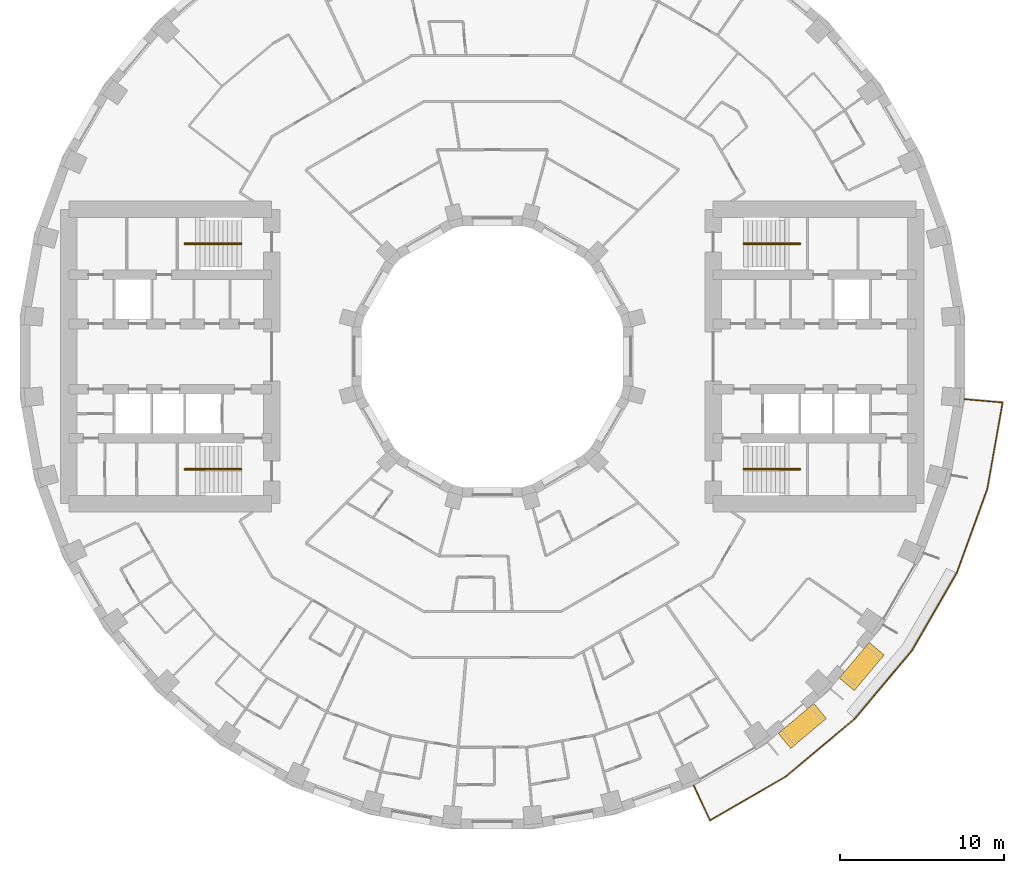
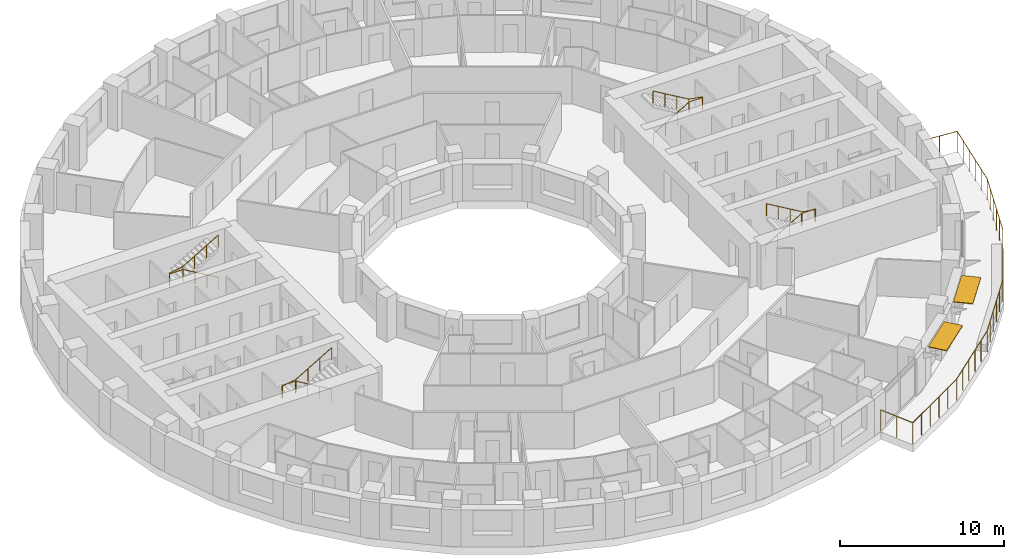
# One storey, part 15 of 15: 5 railings, 2 shading devices.
"""IFC4 building model written with IfcOpenShell, lengths in metres."""

from ifc_helpers import new_model, si_unit, direction, frame, origin, origin_2d, place, context, subcontext, project, spatial, rectangle, circle, extrude, material, layer, layer_set, type_object, element, save


model = new_model("IFC4")

# Units and contexts
model_context = context("Model", 3, precision=1e-05, world=origin(), true_north=direction((0.0, 1.0)))
body_context = subcontext(model_context, "Body", "Model", "MODEL_VIEW")
ifc_project = project(units=[si_unit("LENGTHUNIT", "METRE"), si_unit("AREAUNIT", "SQUARE_METRE"), si_unit("VOLUMEUNIT", "CUBIC_METRE"), si_unit("PLANEANGLEUNIT", "RADIAN"), si_unit("MASSUNIT", "GRAM", prefix="KILO")], contexts=[model_context])

# Site, building, storey
site_placement = place(None, origin())
site = spatial("IfcSite", under=ifc_project, at=site_placement, CompositionType="ELEMENT")
building_placement = place(site_placement, origin())
building = spatial("IfcBuilding", under=site, at=building_placement, Name="Saqina Gate Tower", CompositionType="ELEMENT")
storey_placement = place(building_placement, frame((0.0, 0.0, 36.199951171875)))
storey = spatial("IfcBuildingStorey", under=building, at=storey_placement, Name="L09", CompositionType="ELEMENT", Elevation=36.199951171875)

# Shading devices
ifc_material_1 = material(Name="Aluminium and fabric awning", Category="aluminium")
ifc_layer = layer(ifc_material_1, 0.050048828125)
ifc_layer_set = layer_set([ifc_layer], Name="AW-TERRACE")
shading_device_type = type_object("IfcShadingDeviceType", Name="AW-TERRACE", PredefinedType="AWNING", material=ifc_layer_set)
for number, where, z_axis, x_axis, name in (
    (1, (18.95556640625, -22.59033203125, 2.52490234375), (0.0, 0.0, 1.0), (0.766044443119, 0.642787609687, 0.0), "Terrace awning L09 facet 31"),
    (2, (22.59033203125, -18.95556640625, 2.52490234375), (0.0, 0.0, 1.0), (0.642787609687, 0.766044443119, 0.0), "Terrace awning L09 facet 32"),
):
    element("IfcShadingDevice", number, at=place(storey_placement, frame(where, z_axis=z_axis, x_axis=x_axis)), inside=storey, type_object=shading_device_type, Name=name, PredefinedType="AWNING", context=body_context, shape_type="SweptSolid", body=[
        extrude(rectangle(XDim=2.845703125, YDim=1.199951171875, at=origin_2d()), origin(), (0.0, 0.0, 1.0), 0.050048828125),
    ])

# Railings
ifc_material_2 = material(Name="Stainless steel", Category="steel")
railing_type_1 = type_object("IfcRailingType", Name="RL-TERRACE", PredefinedType="GUARDRAIL", material=ifc_material_2)
railing_1_placement = place(storey_placement, frame((12.302978515625, -26.194580078125, 0.0)))
element("IfcRailing", 3, at=railing_1_placement, inside=storey, type_object=railing_type_1, Name="Terrace guard L09", PredefinedType="GUARDRAIL", context=body_context, shape_type="SweptSolid", body=[
    extrude(circle(Radius=0.02392578125, at=origin_2d()), frame((0.0, 0.0, 1.576171875), z_axis=(0.422644901044, -0.906295364449, 0.0), x_axis=(0.906295364449, 0.422644901044, 0.0)), (0.0, 0.0, 1.0), 2.38916015625),
    extrude(circle(Radius=0.02392578125, at=origin_2d()), frame((1.009765625, -2.165283203125, 1.576171875), z_axis=(0.8653641556, 0.50114357045, 0.0), x_axis=(-0.50114357045, 0.8653641556, 0.0)), (0.0, 0.0, 1.0), 5.38134765625),
    extrude(circle(Radius=0.02392578125, at=origin_2d()), frame((5.66650390625, 0.531494140625, 1.576171875), z_axis=(0.766043830705, 0.642788339532, 0.0), x_axis=(-0.642788339532, 0.766043830705, 0.0)), (0.0, 0.0, 1.0), 5.4609375),
    extrude(circle(Radius=0.02392578125, at=origin_2d()), frame((9.849853515625, 4.041748046875, 1.576171875), z_axis=(0.642788339532, 0.766043830705, 0.0), x_axis=(-0.766043830705, 0.642788339532, 0.0)), (0.0, 0.0, 1.0), 5.4609375),
    extrude(circle(Radius=0.02392578125, at=origin_2d()), frame((13.360107421875, 8.22509765625, 1.576171875), z_axis=(0.499985602051, 0.866033716285, 0.0), x_axis=(-0.866033716285, 0.499985602051, 0.0)), (0.0, 0.0, 1.0), 5.461181640625),
    extrude(circle(Radius=0.02392578125, at=origin_2d()), frame((16.090576171875, 12.95458984375, 1.576171875), z_axis=(0.342048157644, 0.939682423935, 0.0), x_axis=(-0.939682423935, 0.342048157644, 0.0)), (0.0, 0.0, 1.0), 5.4609375),
    extrude(circle(Radius=0.02392578125, at=origin_2d()), frame((17.95849609375, 18.086181640625, 1.576171875), z_axis=(0.174903346333, 0.98458560798, 0.0), x_axis=(-0.98458560798, 0.174903346333, 0.0)), (0.0, 0.0, 1.0), 5.381103515625),
    extrude(circle(Radius=0.02392578125, at=origin_2d()), frame((18.899658203125, 23.38427734375, 1.576171875), z_axis=(-0.996192497087, 0.087180896688, 0.0), x_axis=(-0.087180896688, -0.996192497087, 0.0)), (0.0, 0.0, 1.0), 2.388671875),
    extrude(circle(Radius=0.02099609375, at=origin_2d()), origin(), (0.0, 0.0, 1.0), 1.552001953125),
    extrude(circle(Radius=0.02099609375, at=origin_2d()), frame((0.5048828125, -1.08251953125, 0.0)), (0.0, 0.0, 1.0), 1.552001953125),
    extrude(circle(Radius=0.02099609375, at=origin_2d()), frame((1.009765625, -2.165283203125, 0.0)), (0.0, 0.0, 1.0), 1.552001953125),
    extrude(circle(Radius=0.02099609375, at=origin_2d()), frame((1.941162109375, -1.6259765625, 0.0)), (0.0, 0.0, 1.0), 1.552001953125),
    extrude(circle(Radius=0.02099609375, at=origin_2d()), frame((2.87255859375, -1.086669921875, 0.0)), (0.0, 0.0, 1.0), 1.552001953125),
    extrude(circle(Radius=0.02099609375, at=origin_2d()), frame((3.8037109375, -0.547119140625, 0.0)), (0.0, 0.0, 1.0), 1.552001953125),
    extrude(circle(Radius=0.02099609375, at=origin_2d()), frame((4.735107421875, -0.0078125, 0.0)), (0.0, 0.0, 1.0), 1.552001953125),
    extrude(circle(Radius=0.02099609375, at=origin_2d()), frame((5.66650390625, 0.531494140625, 0.0)), (0.0, 0.0, 1.0), 1.552001953125),
    extrude(circle(Radius=0.02099609375, at=origin_2d()), frame((6.503173828125, 1.233642578125, 0.0)), (0.0, 0.0, 1.0), 1.552001953125),
    extrude(circle(Radius=0.02099609375, at=origin_2d()), frame((7.33984375, 1.935546875, 0.0)), (0.0, 0.0, 1.0), 1.552001953125),
    extrude(circle(Radius=0.02099609375, at=origin_2d()), frame((8.176513671875, 2.6376953125, 0.0)), (0.0, 0.0, 1.0), 1.552001953125),
    extrude(circle(Radius=0.02099609375, at=origin_2d()), frame((9.01318359375, 3.339599609375, 0.0)), (0.0, 0.0, 1.0), 1.552001953125),
    extrude(circle(Radius=0.02099609375, at=origin_2d()), frame((9.849853515625, 4.041748046875, 0.0)), (0.0, 0.0, 1.0), 1.552001953125),
    extrude(circle(Radius=0.02099609375, at=origin_2d()), frame((10.552001953125, 4.87841796875, 0.0)), (0.0, 0.0, 1.0), 1.552001953125),
    extrude(circle(Radius=0.02099609375, at=origin_2d()), frame((11.25390625, 5.715087890625, 0.0)), (0.0, 0.0, 1.0), 1.552001953125),
    extrude(circle(Radius=0.02099609375, at=origin_2d()), frame((11.9560546875, 6.5517578125, 0.0)), (0.0, 0.0, 1.0), 1.552001953125),
    extrude(circle(Radius=0.02099609375, at=origin_2d()), frame((12.657958984375, 7.388427734375, 0.0)), (0.0, 0.0, 1.0), 1.552001953125),
    extrude(circle(Radius=0.02099609375, at=origin_2d()), frame((13.360107421875, 8.22509765625, 0.0)), (0.0, 0.0, 1.0), 1.552001953125),
    extrude(circle(Radius=0.02099609375, at=origin_2d()), frame((13.90625, 9.1708984375, 0.0)), (0.0, 0.0, 1.0), 1.552001953125),
    extrude(circle(Radius=0.02099609375, at=origin_2d()), frame((14.452392578125, 10.116943359375, 0.0)), (0.0, 0.0, 1.0), 1.552001953125),
    extrude(circle(Radius=0.02099609375, at=origin_2d()), frame((14.998291015625, 11.062744140625, 0.0)), (0.0, 0.0, 1.0), 1.552001953125),
    extrude(circle(Radius=0.02099609375, at=origin_2d()), frame((15.54443359375, 12.0087890625, 0.0)), (0.0, 0.0, 1.0), 1.552001953125),
    extrude(circle(Radius=0.02099609375, at=origin_2d()), frame((16.090576171875, 12.95458984375, 0.0)), (0.0, 0.0, 1.0), 1.552001953125),
    extrude(circle(Radius=0.02099609375, at=origin_2d()), frame((16.464111328125, 13.98095703125, 0.0)), (0.0, 0.0, 1.0), 1.552001953125),
    extrude(circle(Radius=0.02099609375, at=origin_2d()), frame((16.837646484375, 15.00732421875, 0.0)), (0.0, 0.0, 1.0), 1.552001953125),
    extrude(circle(Radius=0.02099609375, at=origin_2d()), frame((17.21142578125, 16.033447265625, 0.0)), (0.0, 0.0, 1.0), 1.552001953125),
    extrude(circle(Radius=0.02099609375, at=origin_2d()), frame((17.5849609375, 17.059814453125, 0.0)), (0.0, 0.0, 1.0), 1.552001953125),
    extrude(circle(Radius=0.02099609375, at=origin_2d()), frame((17.95849609375, 18.086181640625, 0.0)), (0.0, 0.0, 1.0), 1.552001953125),
    extrude(circle(Radius=0.02099609375, at=origin_2d()), frame((18.146728515625, 19.145751953125, 0.0)), (0.0, 0.0, 1.0), 1.552001953125),
    extrude(circle(Radius=0.02099609375, at=origin_2d()), frame((18.3349609375, 20.205322265625, 0.0)), (0.0, 0.0, 1.0), 1.552001953125),
    extrude(circle(Radius=0.02099609375, at=origin_2d()), frame((18.523193359375, 21.26513671875, 0.0)), (0.0, 0.0, 1.0), 1.552001953125),
    extrude(circle(Radius=0.02099609375, at=origin_2d()), frame((18.71142578125, 22.32470703125, 0.0)), (0.0, 0.0, 1.0), 1.552001953125),
    extrude(circle(Radius=0.02099609375, at=origin_2d()), frame((18.899658203125, 23.38427734375, 0.0)), (0.0, 0.0, 1.0), 1.552001953125),
    extrude(circle(Radius=0.02099609375, at=origin_2d()), frame((17.7099609375, 23.48828125, 0.0)), (0.0, 0.0, 1.0), 1.552001953125),
    extrude(circle(Radius=0.02099609375, at=origin_2d()), frame((16.52001953125, 23.592529296875, 0.0)), (0.0, 0.0, 1.0), 1.552001953125),
])
ifc_material_3 = material(Name="Stainless steel", Category="steel")
railing_type_2 = type_object("IfcRailingType", Name="STAIR HANDRAIL", PredefinedType="HANDRAIL", material=ifc_material_3)
railing_2_placement = place(storey_placement, frame((15.35009765625, 6.86669921875, 0.1650390625)))
element("IfcRailing", 4, at=railing_2_placement, inside=storey, type_object=railing_type_2, Name="EXIT STAIR 1 HANDRAIL", PredefinedType="HANDRAIL", context=body_context, shape_type="SweptSolid", body=[
    extrude(circle(Radius=0.02392578125, at=origin_2d()), frame((0.0, 0.0, 0.92578125), z_axis=(0.86152411907, 0.0, 0.507716645641), x_axis=(0.0, 1.0, 0.0)), (0.0, 0.0, 1.0), 2.925048828125),
    extrude(circle(Radius=0.02392578125, at=origin_2d()), frame((2.52001953125, 0.0, 2.4111328125), z_axis=(1.0, 0.0, 0.0), x_axis=(0.0, 1.0, 0.0)), (0.0, 0.0, 1.0), 0.949951171875),
    extrude(circle(Radius=0.02392578125, at=origin_2d()), frame((3.469970703125, 0.0, 2.4111328125), z_axis=(0.0, 1.0, 0.0), x_axis=(-1.0, 0.0, 0.0)), (0.0, 0.0, 1.0), 0.066650390625),
    extrude(circle(Radius=0.02392578125, at=origin_2d()), frame((3.469970703125, 0.066650390625, 2.4111328125), z_axis=(-0.985284148366, 0.0, 0.170924389655), x_axis=(0.0, -1.0, 0.0)), (0.0, 0.0, 1.0), 0.964111328125),
    extrude(circle(Radius=0.02392578125, at=origin_2d()), frame((2.52001953125, 0.066650390625, 2.57568359375), z_axis=(-0.86152411907, 0.0, 0.507716645641), x_axis=(0.0, -1.0, 0.0)), (0.0, 0.0, 1.0), 2.925048828125),
    extrude(circle(Radius=0.02099609375, at=origin_2d()), origin(), (0.0, 0.0, 1.0), 0.90185546875),
    extrude(circle(Radius=0.02099609375, at=origin_2d()), frame((0.840087890625, 0.0, 0.4951171875)), (0.0, 0.0, 1.0), 0.90185546875),
    extrude(circle(Radius=0.02099609375, at=origin_2d()), frame((1.679931640625, 0.0, 0.989990234375)), (0.0, 0.0, 1.0), 0.90185546875),
    extrude(circle(Radius=0.02099609375, at=origin_2d()), frame((2.52001953125, 0.0, 1.485107421875)), (0.0, 0.0, 1.0), 0.90185546875),
    extrude(circle(Radius=0.02099609375, at=origin_2d()), frame((3.469970703125, 0.0, 1.485107421875)), (0.0, 0.0, 1.0), 0.90185546875),
    extrude(circle(Radius=0.02099609375, at=origin_2d()), frame((3.469970703125, 0.066650390625, 1.485107421875)), (0.0, 0.0, 1.0), 0.90185546875),
    extrude(circle(Radius=0.02099609375, at=origin_2d()), frame((2.52001953125, 0.066650390625, 1.64990234375)), (0.0, 0.0, 1.0), 0.90185546875),
    extrude(circle(Radius=0.02099609375, at=origin_2d()), frame((1.679931640625, 0.066650390625, 2.14501953125)), (0.0, 0.0, 1.0), 0.90185546875),
    extrude(circle(Radius=0.02099609375, at=origin_2d()), frame((0.840087890625, 0.066650390625, 2.639892578125)), (0.0, 0.0, 1.0), 0.90185546875),
    extrude(circle(Radius=0.02099609375, at=origin_2d()), frame((0.0, 0.066650390625, 3.135009765625)), (0.0, 0.0, 1.0), 0.90185546875),
])
railing_3_placement = place(storey_placement, frame((15.35009765625, -6.86669921875, 0.1650390625)))
element("IfcRailing", 5, at=railing_3_placement, inside=storey, type_object=railing_type_2, Name="EXIT STAIR 2 HANDRAIL", PredefinedType="HANDRAIL", context=body_context, shape_type="SweptSolid", body=[
    extrude(circle(Radius=0.02392578125, at=origin_2d()), frame((0.0, 0.0, 0.92578125), z_axis=(0.86152411907, 0.0, 0.507716645641), x_axis=(0.0, 1.0, 0.0)), (0.0, 0.0, 1.0), 2.925048828125),
    extrude(circle(Radius=0.02392578125, at=origin_2d()), frame((2.52001953125, 0.0, 2.4111328125), z_axis=(1.0, 0.0, 0.0), x_axis=(0.0, 1.0, 0.0)), (0.0, 0.0, 1.0), 0.949951171875),
    extrude(circle(Radius=0.02392578125, at=origin_2d()), frame((3.469970703125, 0.0, 2.4111328125), z_axis=(0.0, -1.0, 0.0), x_axis=(1.0, 0.0, 0.0)), (0.0, 0.0, 1.0), 0.066650390625),
    extrude(circle(Radius=0.02392578125, at=origin_2d()), frame((3.469970703125, -0.066650390625, 2.4111328125), z_axis=(-0.985284148366, 0.0, 0.170924389655), x_axis=(0.0, -1.0, 0.0)), (0.0, 0.0, 1.0), 0.964111328125),
    extrude(circle(Radius=0.02392578125, at=origin_2d()), frame((2.52001953125, -0.066650390625, 2.57568359375), z_axis=(-0.86152411907, 0.0, 0.507716645641), x_axis=(0.0, -1.0, 0.0)), (0.0, 0.0, 1.0), 2.925048828125),
    extrude(circle(Radius=0.02099609375, at=origin_2d()), origin(), (0.0, 0.0, 1.0), 0.90185546875),
    extrude(circle(Radius=0.02099609375, at=origin_2d()), frame((0.840087890625, 0.0, 0.4951171875)), (0.0, 0.0, 1.0), 0.90185546875),
    extrude(circle(Radius=0.02099609375, at=origin_2d()), frame((1.679931640625, 0.0, 0.989990234375)), (0.0, 0.0, 1.0), 0.90185546875),
    extrude(circle(Radius=0.02099609375, at=origin_2d()), frame((2.52001953125, 0.0, 1.485107421875)), (0.0, 0.0, 1.0), 0.90185546875),
    extrude(circle(Radius=0.02099609375, at=origin_2d()), frame((3.469970703125, 0.0, 1.485107421875)), (0.0, 0.0, 1.0), 0.90185546875),
    extrude(circle(Radius=0.02099609375, at=origin_2d()), frame((3.469970703125, -0.066650390625, 1.485107421875)), (0.0, 0.0, 1.0), 0.90185546875),
    extrude(circle(Radius=0.02099609375, at=origin_2d()), frame((2.52001953125, -0.066650390625, 1.64990234375)), (0.0, 0.0, 1.0), 0.90185546875),
    extrude(circle(Radius=0.02099609375, at=origin_2d()), frame((1.679931640625, -0.066650390625, 2.14501953125)), (0.0, 0.0, 1.0), 0.90185546875),
    extrude(circle(Radius=0.02099609375, at=origin_2d()), frame((0.840087890625, -0.066650390625, 2.639892578125)), (0.0, 0.0, 1.0), 0.90185546875),
    extrude(circle(Radius=0.02099609375, at=origin_2d()), frame((0.0, -0.066650390625, 3.135009765625)), (0.0, 0.0, 1.0), 0.90185546875),
])
railing_4_placement = place(storey_placement, frame((-15.35009765625, 6.86669921875, 0.1650390625)))
element("IfcRailing", 6, at=railing_4_placement, inside=storey, type_object=railing_type_2, Name="EXIT STAIR 3 HANDRAIL", PredefinedType="HANDRAIL", context=body_context, shape_type="SweptSolid", body=[
    extrude(circle(Radius=0.02392578125, at=origin_2d()), frame((0.0, 0.0, 0.92578125), z_axis=(-0.86152411907, 0.0, 0.507716645641), x_axis=(0.0, -1.0, 0.0)), (0.0, 0.0, 1.0), 2.925048828125),
    extrude(circle(Radius=0.02392578125, at=origin_2d()), frame((-2.52001953125, 0.0, 2.4111328125), z_axis=(-1.0, 0.0, 0.0), x_axis=(0.0, -1.0, 0.0)), (0.0, 0.0, 1.0), 0.949951171875),
    extrude(circle(Radius=0.02392578125, at=origin_2d()), frame((-3.469970703125, 0.0, 2.4111328125), z_axis=(0.0, 1.0, 0.0), x_axis=(-1.0, 0.0, 0.0)), (0.0, 0.0, 1.0), 0.066650390625),
    extrude(circle(Radius=0.02392578125, at=origin_2d()), frame((-3.469970703125, 0.066650390625, 2.4111328125), z_axis=(0.985284148366, 0.0, 0.170924389655), x_axis=(0.0, 1.0, 0.0)), (0.0, 0.0, 1.0), 0.964111328125),
    extrude(circle(Radius=0.02392578125, at=origin_2d()), frame((-2.52001953125, 0.066650390625, 2.57568359375), z_axis=(0.86152411907, 0.0, 0.507716645641), x_axis=(0.0, 1.0, 0.0)), (0.0, 0.0, 1.0), 2.925048828125),
    extrude(circle(Radius=0.02099609375, at=origin_2d()), origin(), (0.0, 0.0, 1.0), 0.90185546875),
    extrude(circle(Radius=0.02099609375, at=origin_2d()), frame((-0.840087890625, 0.0, 0.4951171875)), (0.0, 0.0, 1.0), 0.90185546875),
    extrude(circle(Radius=0.02099609375, at=origin_2d()), frame((-1.679931640625, 0.0, 0.989990234375)), (0.0, 0.0, 1.0), 0.90185546875),
    extrude(circle(Radius=0.02099609375, at=origin_2d()), frame((-2.52001953125, 0.0, 1.485107421875)), (0.0, 0.0, 1.0), 0.90185546875),
    extrude(circle(Radius=0.02099609375, at=origin_2d()), frame((-3.469970703125, 0.0, 1.485107421875)), (0.0, 0.0, 1.0), 0.90185546875),
    extrude(circle(Radius=0.02099609375, at=origin_2d()), frame((-3.469970703125, 0.066650390625, 1.485107421875)), (0.0, 0.0, 1.0), 0.90185546875),
    extrude(circle(Radius=0.02099609375, at=origin_2d()), frame((-2.52001953125, 0.066650390625, 1.64990234375)), (0.0, 0.0, 1.0), 0.90185546875),
    extrude(circle(Radius=0.02099609375, at=origin_2d()), frame((-1.679931640625, 0.066650390625, 2.14501953125)), (0.0, 0.0, 1.0), 0.90185546875),
    extrude(circle(Radius=0.02099609375, at=origin_2d()), frame((-0.840087890625, 0.066650390625, 2.639892578125)), (0.0, 0.0, 1.0), 0.90185546875),
    extrude(circle(Radius=0.02099609375, at=origin_2d()), frame((0.0, 0.066650390625, 3.135009765625)), (0.0, 0.0, 1.0), 0.90185546875),
])
railing_5_placement = place(storey_placement, frame((-15.35009765625, -6.86669921875, 0.1650390625)))
element("IfcRailing", 7, at=railing_5_placement, inside=storey, type_object=railing_type_2, Name="EXIT STAIR 4 HANDRAIL", PredefinedType="HANDRAIL", context=body_context, shape_type="SweptSolid", body=[
    extrude(circle(Radius=0.02392578125, at=origin_2d()), frame((0.0, 0.0, 0.92578125), z_axis=(-0.86152411907, 0.0, 0.507716645641), x_axis=(0.0, -1.0, 0.0)), (0.0, 0.0, 1.0), 2.925048828125),
    extrude(circle(Radius=0.02392578125, at=origin_2d()), frame((-2.52001953125, 0.0, 2.4111328125), z_axis=(-1.0, 0.0, 0.0), x_axis=(0.0, -1.0, 0.0)), (0.0, 0.0, 1.0), 0.949951171875),
    extrude(circle(Radius=0.02392578125, at=origin_2d()), frame((-3.469970703125, 0.0, 2.4111328125), z_axis=(0.0, -1.0, 0.0), x_axis=(1.0, 0.0, 0.0)), (0.0, 0.0, 1.0), 0.066650390625),
    extrude(circle(Radius=0.02392578125, at=origin_2d()), frame((-3.469970703125, -0.066650390625, 2.4111328125), z_axis=(0.985284148366, 0.0, 0.170924389655), x_axis=(0.0, 1.0, 0.0)), (0.0, 0.0, 1.0), 0.964111328125),
    extrude(circle(Radius=0.02392578125, at=origin_2d()), frame((-2.52001953125, -0.066650390625, 2.57568359375), z_axis=(0.86152411907, 0.0, 0.507716645641), x_axis=(0.0, 1.0, 0.0)), (0.0, 0.0, 1.0), 2.925048828125),
    extrude(circle(Radius=0.02099609375, at=origin_2d()), origin(), (0.0, 0.0, 1.0), 0.90185546875),
    extrude(circle(Radius=0.02099609375, at=origin_2d()), frame((-0.840087890625, 0.0, 0.4951171875)), (0.0, 0.0, 1.0), 0.90185546875),
    extrude(circle(Radius=0.02099609375, at=origin_2d()), frame((-1.679931640625, 0.0, 0.989990234375)), (0.0, 0.0, 1.0), 0.90185546875),
    extrude(circle(Radius=0.02099609375, at=origin_2d()), frame((-2.52001953125, 0.0, 1.485107421875)), (0.0, 0.0, 1.0), 0.90185546875),
    extrude(circle(Radius=0.02099609375, at=origin_2d()), frame((-3.469970703125, 0.0, 1.485107421875)), (0.0, 0.0, 1.0), 0.90185546875),
    extrude(circle(Radius=0.02099609375, at=origin_2d()), frame((-3.469970703125, -0.066650390625, 1.485107421875)), (0.0, 0.0, 1.0), 0.90185546875),
    extrude(circle(Radius=0.02099609375, at=origin_2d()), frame((-2.52001953125, -0.066650390625, 1.64990234375)), (0.0, 0.0, 1.0), 0.90185546875),
    extrude(circle(Radius=0.02099609375, at=origin_2d()), frame((-1.679931640625, -0.066650390625, 2.14501953125)), (0.0, 0.0, 1.0), 0.90185546875),
    extrude(circle(Radius=0.02099609375, at=origin_2d()), frame((-0.840087890625, -0.066650390625, 2.639892578125)), (0.0, 0.0, 1.0), 0.90185546875),
    extrude(circle(Radius=0.02099609375, at=origin_2d()), frame((0.0, -0.066650390625, 3.135009765625)), (0.0, 0.0, 1.0), 0.90185546875),
])

save(model, "model.ifc")
